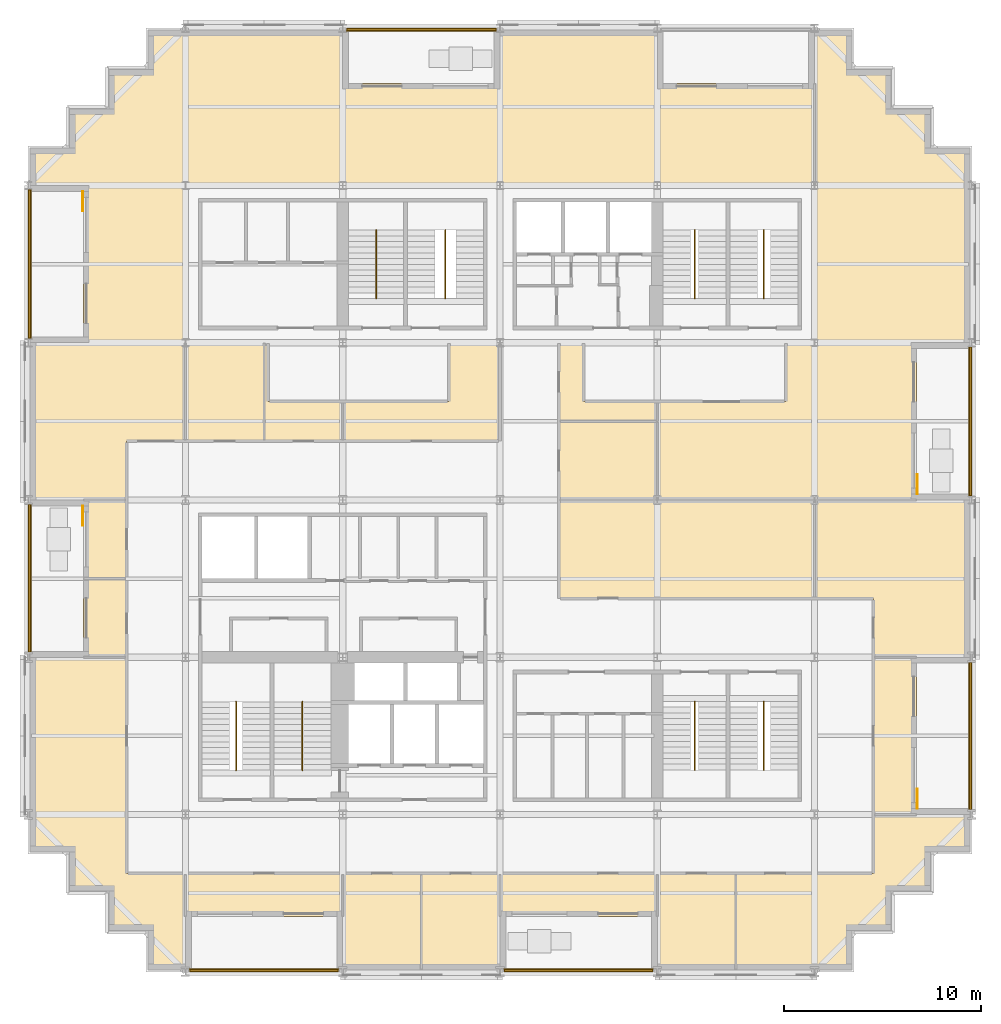
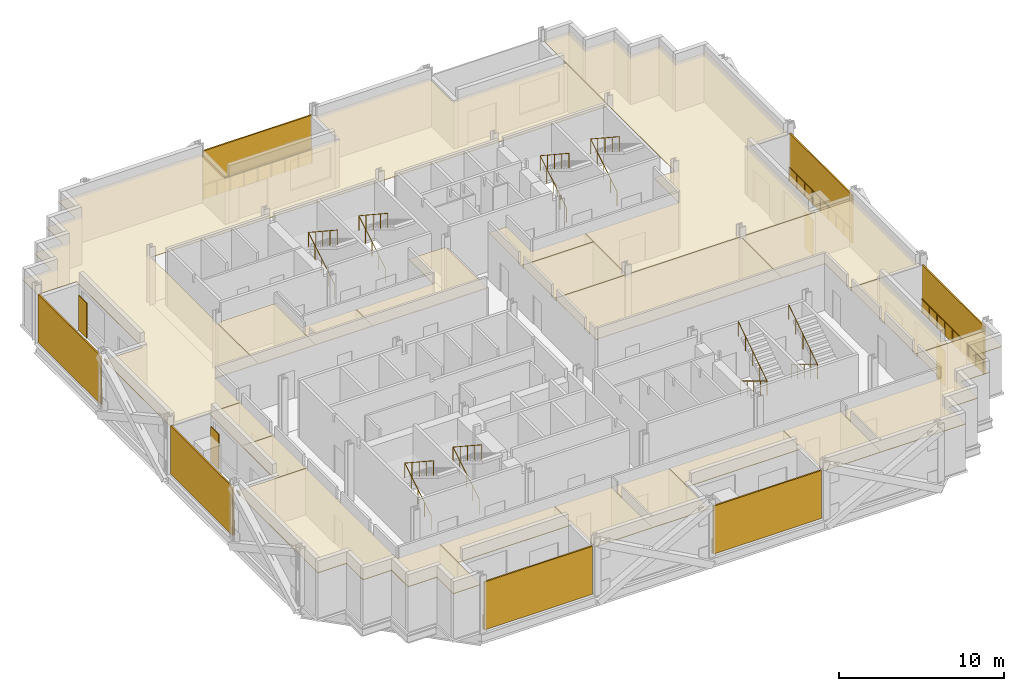
# One storey, part 12 of 14: 19 coverings, 15 railings, 11 shading devices.
"""IFC4 building model written with IfcOpenShell, lengths in metres."""

from ifc_helpers import new_model, si_unit, direction, frame, origin, origin_2d, place, context, subcontext, project, spatial, polyline, rectangle, circle, outline, extrude, material, layer, layer_set, type_object, element, save


model = new_model("IFC4")

# Units and contexts
model_context = context("Model", 3, precision=1e-05, world=origin(), true_north=direction((0.0, 1.0)))
body_context = subcontext(model_context, "Body", "Model", "MODEL_VIEW")
ifc_project = project(units=[si_unit("LENGTHUNIT", "METRE"), si_unit("AREAUNIT", "SQUARE_METRE"), si_unit("VOLUMEUNIT", "CUBIC_METRE"), si_unit("PLANEANGLEUNIT", "RADIAN"), si_unit("MASSUNIT", "GRAM", prefix="KILO")], contexts=[model_context])

# Site, building, storey
site_placement = place(None, origin())
site = spatial("IfcSite", under=ifc_project, at=site_placement, CompositionType="ELEMENT")
building_placement = place(site_placement, origin())
building = spatial("IfcBuilding", under=site, at=building_placement, Name="Immortelle Media Tower", CompositionType="ELEMENT")
storey_placement = place(building_placement, frame((0.0, 0.0, 48.0)))
storey = spatial("IfcBuildingStorey", under=building, at=storey_placement, Name="L07", CompositionType="ELEMENT", Elevation=48.0)

# Railings
ifc_material_1 = material(Name="Powder-coated aluminium fretwork panel, laminated glass backing", Category="aluminium")
railing_type_1 = type_object("IfcRailingType", Name="Fretwork balustrade 1100", PredefinedType="BALUSTRADE", material=ifc_material_1)
railing_1_placement = place(storey_placement, frame((0.139892578125, 39.79150390625, 0.0)))
element("IfcRailing", 1, at=railing_1_placement, inside=storey, type_object=railing_type_1, Name="Fretwork balustrade L07 W0", PredefinedType="BALUSTRADE", context=body_context, shape_type="SweptSolid", body=[
    extrude(circle(Radius=0.02490234375, at=origin_2d()), frame((0.0, 0.0, 1.0751953125), z_axis=(0.0, -1.0, 0.0), x_axis=(1.0, 0.0, 0.0)), (0.0, 0.0, 1.0), 7.574462890625),
    extrude(circle(Radius=0.02001953125, at=origin_2d()), origin(), (0.0, 0.0, 1.0), 1.050048828125),
    extrude(circle(Radius=0.02001953125, at=origin_2d()), frame((0.0, -0.94677734375, 0.0)), (0.0, 0.0, 1.0), 1.050048828125),
    extrude(circle(Radius=0.02001953125, at=origin_2d()), frame((0.0, -1.8935546875, 0.0)), (0.0, 0.0, 1.0), 1.050048828125),
    extrude(circle(Radius=0.02001953125, at=origin_2d()), frame((0.0, -2.84033203125, 0.0)), (0.0, 0.0, 1.0), 1.050048828125),
    extrude(circle(Radius=0.02001953125, at=origin_2d()), frame((0.0, -3.787109375, 0.0)), (0.0, 0.0, 1.0), 1.050048828125),
    extrude(circle(Radius=0.02001953125, at=origin_2d()), frame((0.0, -4.734130859375, 0.0)), (0.0, 0.0, 1.0), 1.050048828125),
    extrude(circle(Radius=0.02001953125, at=origin_2d()), frame((0.0, -5.680908203125, 0.0)), (0.0, 0.0, 1.0), 1.050048828125),
    extrude(circle(Radius=0.02001953125, at=origin_2d()), frame((0.0, -6.627685546875, 0.0)), (0.0, 0.0, 1.0), 1.050048828125),
    extrude(circle(Radius=0.02001953125, at=origin_2d()), frame((0.0, -7.574462890625, 0.0)), (0.0, 0.0, 1.0), 1.050048828125),
])
railing_2_placement = place(storey_placement, frame((0.139892578125, 23.782958984375, 0.0)))
element("IfcRailing", 2, at=railing_2_placement, inside=storey, type_object=railing_type_1, Name="Fretwork balustrade L07 W2", PredefinedType="BALUSTRADE", context=body_context, shape_type="SweptSolid", body=[
    extrude(circle(Radius=0.02490234375, at=origin_2d()), frame((0.0, 0.0, 1.0751953125), z_axis=(0.0, -1.0, 0.0), x_axis=(1.0, 0.0, 0.0)), (0.0, 0.0, 1.0), 7.517578125),
    extrude(circle(Radius=0.02001953125, at=origin_2d()), origin(), (0.0, 0.0, 1.0), 1.050048828125),
    extrude(circle(Radius=0.02001953125, at=origin_2d()), frame((0.0, -0.939697265625, 0.0)), (0.0, 0.0, 1.0), 1.050048828125),
    extrude(circle(Radius=0.02001953125, at=origin_2d()), frame((0.0, -1.87939453125, 0.0)), (0.0, 0.0, 1.0), 1.050048828125),
    extrude(circle(Radius=0.02001953125, at=origin_2d()), frame((0.0, -2.819091796875, 0.0)), (0.0, 0.0, 1.0), 1.050048828125),
    extrude(circle(Radius=0.02001953125, at=origin_2d()), frame((0.0, -3.7587890625, 0.0)), (0.0, 0.0, 1.0), 1.050048828125),
    extrude(circle(Radius=0.02001953125, at=origin_2d()), frame((0.0, -4.698486328125, 0.0)), (0.0, 0.0, 1.0), 1.050048828125),
    extrude(circle(Radius=0.02001953125, at=origin_2d()), frame((0.0, -5.63818359375, 0.0)), (0.0, 0.0, 1.0), 1.050048828125),
    extrude(circle(Radius=0.02001953125, at=origin_2d()), frame((0.0, -6.577880859375, 0.0)), (0.0, 0.0, 1.0), 1.050048828125),
    extrude(circle(Radius=0.02001953125, at=origin_2d()), frame((0.0, -7.517578125, 0.0)), (0.0, 0.0, 1.0), 1.050048828125),
])
railing_3_placement = place(storey_placement, frame((8.216064453125, 0.139892578125, 0.0)))
element("IfcRailing", 3, at=railing_3_placement, inside=storey, type_object=railing_type_1, Name="Fretwork balustrade L07 S0", PredefinedType="BALUSTRADE", context=body_context, shape_type="SweptSolid", body=[
    extrude(circle(Radius=0.02490234375, at=origin_2d()), frame((0.0, 0.0, 1.0751953125), z_axis=(1.0, 0.0, 0.0), x_axis=(0.0, 1.0, 0.0)), (0.0, 0.0, 1.0), 7.56298828125),
    extrude(circle(Radius=0.02001953125, at=origin_2d()), origin(), (0.0, 0.0, 1.0), 1.050048828125),
    extrude(circle(Radius=0.02001953125, at=origin_2d()), frame((0.9453125, 0.0, 0.0)), (0.0, 0.0, 1.0), 1.050048828125),
    extrude(circle(Radius=0.02001953125, at=origin_2d()), frame((1.890625, 0.0, 0.0)), (0.0, 0.0, 1.0), 1.050048828125),
    extrude(circle(Radius=0.02001953125, at=origin_2d()), frame((2.836181640625, 0.0, 0.0)), (0.0, 0.0, 1.0), 1.050048828125),
    extrude(circle(Radius=0.02001953125, at=origin_2d()), frame((3.781494140625, 0.0, 0.0)), (0.0, 0.0, 1.0), 1.050048828125),
    extrude(circle(Radius=0.02001953125, at=origin_2d()), frame((4.726806640625, 0.0, 0.0)), (0.0, 0.0, 1.0), 1.050048828125),
    extrude(circle(Radius=0.02001953125, at=origin_2d()), frame((5.67236328125, 0.0, 0.0)), (0.0, 0.0, 1.0), 1.050048828125),
    extrude(circle(Radius=0.02001953125, at=origin_2d()), frame((6.61767578125, 0.0, 0.0)), (0.0, 0.0, 1.0), 1.050048828125),
    extrude(circle(Radius=0.02001953125, at=origin_2d()), frame((7.56298828125, 0.0, 0.0)), (0.0, 0.0, 1.0), 1.050048828125),
])
railing_4_placement = place(storey_placement, frame((24.220947265625, 0.139892578125, 0.0)))
element("IfcRailing", 4, at=railing_4_placement, inside=storey, type_object=railing_type_1, Name="Fretwork balustrade L07 S2", PredefinedType="BALUSTRADE", context=body_context, shape_type="SweptSolid", body=[
    extrude(circle(Radius=0.02490234375, at=origin_2d()), frame((0.0, 0.0, 1.0751953125), z_axis=(1.0, 0.0, 0.0), x_axis=(0.0, 1.0, 0.0)), (0.0, 0.0, 1.0), 7.55810546875),
    extrude(circle(Radius=0.02001953125, at=origin_2d()), origin(), (0.0, 0.0, 1.0), 1.050048828125),
    extrude(circle(Radius=0.02001953125, at=origin_2d()), frame((0.94482421875, 0.0, 0.0)), (0.0, 0.0, 1.0), 1.050048828125),
    extrude(circle(Radius=0.02001953125, at=origin_2d()), frame((1.8896484375, 0.0, 0.0)), (0.0, 0.0, 1.0), 1.050048828125),
    extrude(circle(Radius=0.02001953125, at=origin_2d()), frame((2.834228515625, 0.0, 0.0)), (0.0, 0.0, 1.0), 1.050048828125),
    extrude(circle(Radius=0.02001953125, at=origin_2d()), frame((3.779052734375, 0.0, 0.0)), (0.0, 0.0, 1.0), 1.050048828125),
    extrude(circle(Radius=0.02001953125, at=origin_2d()), frame((4.723876953125, 0.0, 0.0)), (0.0, 0.0, 1.0), 1.050048828125),
    extrude(circle(Radius=0.02001953125, at=origin_2d()), frame((5.66845703125, 0.0, 0.0)), (0.0, 0.0, 1.0), 1.050048828125),
    extrude(circle(Radius=0.02001953125, at=origin_2d()), frame((6.61328125, 0.0, 0.0)), (0.0, 0.0, 1.0), 1.050048828125),
    extrude(circle(Radius=0.02001953125, at=origin_2d()), frame((7.55810546875, 0.0, 0.0)), (0.0, 0.0, 1.0), 1.050048828125),
])
railing_5_placement = place(storey_placement, frame((47.860107421875, 8.2490234375, 0.0)))
element("IfcRailing", 5, at=railing_5_placement, inside=storey, type_object=railing_type_1, Name="Fretwork balustrade L07 E0", PredefinedType="BALUSTRADE", context=body_context, shape_type="SweptSolid", body=[
    extrude(circle(Radius=0.02490234375, at=origin_2d()), frame((0.0, 0.0, 1.0751953125), z_axis=(0.0, 1.0, 0.0), x_axis=(-1.0, 0.0, 0.0)), (0.0, 0.0, 1.0), 7.485595703125),
    extrude(circle(Radius=0.02001953125, at=origin_2d()), origin(), (0.0, 0.0, 1.0), 1.050048828125),
    extrude(circle(Radius=0.02001953125, at=origin_2d()), frame((0.0, 0.935791015625, 0.0)), (0.0, 0.0, 1.0), 1.050048828125),
    extrude(circle(Radius=0.02001953125, at=origin_2d()), frame((0.0, 1.871337890625, 0.0)), (0.0, 0.0, 1.0), 1.050048828125),
    extrude(circle(Radius=0.02001953125, at=origin_2d()), frame((0.0, 2.80712890625, 0.0)), (0.0, 0.0, 1.0), 1.050048828125),
    extrude(circle(Radius=0.02001953125, at=origin_2d()), frame((0.0, 3.74267578125, 0.0)), (0.0, 0.0, 1.0), 1.050048828125),
    extrude(circle(Radius=0.02001953125, at=origin_2d()), frame((0.0, 4.678466796875, 0.0)), (0.0, 0.0, 1.0), 1.050048828125),
    extrude(circle(Radius=0.02001953125, at=origin_2d()), frame((0.0, 5.6142578125, 0.0)), (0.0, 0.0, 1.0), 1.050048828125),
    extrude(circle(Radius=0.02001953125, at=origin_2d()), frame((0.0, 6.5498046875, 0.0)), (0.0, 0.0, 1.0), 1.050048828125),
    extrude(circle(Radius=0.02001953125, at=origin_2d()), frame((0.0, 7.485595703125, 0.0)), (0.0, 0.0, 1.0), 1.050048828125),
])
railing_6_placement = place(storey_placement, frame((47.860107421875, 24.20849609375, 0.0)))
element("IfcRailing", 6, at=railing_6_placement, inside=storey, type_object=railing_type_1, Name="Fretwork balustrade L07 E2", PredefinedType="BALUSTRADE", context=body_context, shape_type="SweptSolid", body=[
    extrude(circle(Radius=0.02490234375, at=origin_2d()), frame((0.0, 0.0, 1.0751953125), z_axis=(0.0, 1.0, 0.0), x_axis=(-1.0, 0.0, 0.0)), (0.0, 0.0, 1.0), 7.5830078125),
    extrude(circle(Radius=0.02001953125, at=origin_2d()), origin(), (0.0, 0.0, 1.0), 1.050048828125),
    extrude(circle(Radius=0.02001953125, at=origin_2d()), frame((0.0, 0.94775390625, 0.0)), (0.0, 0.0, 1.0), 1.050048828125),
    extrude(circle(Radius=0.02001953125, at=origin_2d()), frame((0.0, 1.895751953125, 0.0)), (0.0, 0.0, 1.0), 1.050048828125),
    extrude(circle(Radius=0.02001953125, at=origin_2d()), frame((0.0, 2.84375, 0.0)), (0.0, 0.0, 1.0), 1.050048828125),
    extrude(circle(Radius=0.02001953125, at=origin_2d()), frame((0.0, 3.79150390625, 0.0)), (0.0, 0.0, 1.0), 1.050048828125),
    extrude(circle(Radius=0.02001953125, at=origin_2d()), frame((0.0, 4.7392578125, 0.0)), (0.0, 0.0, 1.0), 1.050048828125),
    extrude(circle(Radius=0.02001953125, at=origin_2d()), frame((0.0, 5.687255859375, 0.0)), (0.0, 0.0, 1.0), 1.050048828125),
    extrude(circle(Radius=0.02001953125, at=origin_2d()), frame((0.0, 6.63525390625, 0.0)), (0.0, 0.0, 1.0), 1.050048828125),
    extrude(circle(Radius=0.02001953125, at=origin_2d()), frame((0.0, 7.5830078125, 0.0)), (0.0, 0.0, 1.0), 1.050048828125),
])
railing_7_placement = place(storey_placement, frame((23.797119140625, 47.860107421875, 0.0)))
element("IfcRailing", 7, at=railing_7_placement, inside=storey, type_object=railing_type_1, Name="Fretwork balustrade L07 N2", PredefinedType="BALUSTRADE", context=body_context, shape_type="SweptSolid", body=[
    extrude(circle(Radius=0.02490234375, at=origin_2d()), frame((0.0, 0.0, 1.0751953125), z_axis=(-1.0, 0.0, 0.0), x_axis=(0.0, -1.0, 0.0)), (0.0, 0.0, 1.0), 7.591552734375),
    extrude(circle(Radius=0.02001953125, at=origin_2d()), origin(), (0.0, 0.0, 1.0), 1.050048828125),
    extrude(circle(Radius=0.02001953125, at=origin_2d()), frame((-0.948974609375, 0.0, 0.0)), (0.0, 0.0, 1.0), 1.050048828125),
    extrude(circle(Radius=0.02001953125, at=origin_2d()), frame((-1.89794921875, 0.0, 0.0)), (0.0, 0.0, 1.0), 1.050048828125),
    extrude(circle(Radius=0.02001953125, at=origin_2d()), frame((-2.846923828125, 0.0, 0.0)), (0.0, 0.0, 1.0), 1.050048828125),
    extrude(circle(Radius=0.02001953125, at=origin_2d()), frame((-3.7958984375, 0.0, 0.0)), (0.0, 0.0, 1.0), 1.050048828125),
    extrude(circle(Radius=0.02001953125, at=origin_2d()), frame((-4.74462890625, 0.0, 0.0)), (0.0, 0.0, 1.0), 1.050048828125),
    extrude(circle(Radius=0.02001953125, at=origin_2d()), frame((-5.693603515625, 0.0, 0.0)), (0.0, 0.0, 1.0), 1.050048828125),
    extrude(circle(Radius=0.02001953125, at=origin_2d()), frame((-6.642578125, 0.0, 0.0)), (0.0, 0.0, 1.0), 1.050048828125),
    extrude(circle(Radius=0.02001953125, at=origin_2d()), frame((-7.591552734375, 0.0, 0.0)), (0.0, 0.0, 1.0), 1.050048828125),
])

# Shading devices
ifc_material_2 = material(Name="Pale aluminium louvre blades", Category="aluminium")
ifc_layer_1 = layer(ifc_material_2, 0.10009765625)
ifc_layer_set_1 = layer_set([ifc_layer_1], Name="Pale aluminium louvre blades")
shading_device_type_1 = type_object("IfcShadingDeviceType", Name="Jalousie screen 100", PredefinedType="JALOUSIE", material=ifc_layer_set_1)
shading_device_1_placement = place(storey_placement, frame((0.050048828125, 36.004150390625, 0.0), z_axis=(0.0, 0.0, 1.0), x_axis=(0.0, -1.0, 0.0)))
element("IfcShadingDevice", 8, at=shading_device_1_placement, inside=storey, type_object=shading_device_type_1, Name="Jalousie screen L07 W0", PredefinedType="JALOUSIE", context=body_context, shape_type="SweptSolid", body=[
    extrude(rectangle(XDim=7.574462890625, YDim=0.10009765625, at=origin_2d()), origin(), (0.0, 0.0, 1.0), 3.553955078125),
])
shading_device_2_placement = place(storey_placement, frame((0.050048828125, 20.024169921875, 0.0), z_axis=(0.0, 0.0, 1.0), x_axis=(0.0, -1.0, 0.0)))
element("IfcShadingDevice", 9, at=shading_device_2_placement, inside=storey, type_object=shading_device_type_1, Name="Jalousie screen L07 W2", PredefinedType="JALOUSIE", context=body_context, shape_type="SweptSolid", body=[
    extrude(rectangle(XDim=7.517578125, YDim=0.10009765625, at=origin_2d()), origin(), (0.0, 0.0, 1.0), 3.553955078125),
])
shading_device_3_placement = place(storey_placement, frame((11.99755859375, 0.050048828125, 0.0), z_axis=(0.0, 0.0, 1.0), x_axis=(1.0, 0.0, 0.0)))
element("IfcShadingDevice", 10, at=shading_device_3_placement, inside=storey, type_object=shading_device_type_1, Name="Jalousie screen L07 S0", PredefinedType="JALOUSIE", context=body_context, shape_type="SweptSolid", body=[
    extrude(rectangle(XDim=7.56298828125, YDim=0.10009765625, at=origin_2d()), origin(), (0.0, 0.0, 1.0), 3.553955078125),
])
shading_device_4_placement = place(storey_placement, frame((28.0, 0.050048828125, 0.0), z_axis=(0.0, 0.0, 1.0), x_axis=(1.0, 0.0, 0.0)))
element("IfcShadingDevice", 11, at=shading_device_4_placement, inside=storey, type_object=shading_device_type_1, Name="Jalousie screen L07 S2", PredefinedType="JALOUSIE", context=body_context, shape_type="SweptSolid", body=[
    extrude(rectangle(XDim=7.55810546875, YDim=0.10009765625, at=origin_2d()), origin(), (0.0, 0.0, 1.0), 3.553955078125),
])
shading_device_5_placement = place(storey_placement, frame((47.949951171875, 11.99169921875, 0.0), z_axis=(0.0, 0.0, 1.0), x_axis=(0.0, 1.0, 0.0)))
element("IfcShadingDevice", 12, at=shading_device_5_placement, inside=storey, type_object=shading_device_type_1, Name="Jalousie screen L07 E0", PredefinedType="JALOUSIE", context=body_context, shape_type="SweptSolid", body=[
    extrude(rectangle(XDim=7.485595703125, YDim=0.10009765625, at=origin_2d()), origin(), (0.0, 0.0, 1.0), 3.553955078125),
])
shading_device_6_placement = place(storey_placement, frame((47.949951171875, 28.0, 0.0), z_axis=(0.0, 0.0, 1.0), x_axis=(0.0, 1.0, 0.0)))
element("IfcShadingDevice", 13, at=shading_device_6_placement, inside=storey, type_object=shading_device_type_1, Name="Jalousie screen L07 E2", PredefinedType="JALOUSIE", context=body_context, shape_type="SweptSolid", body=[
    extrude(rectangle(XDim=7.5830078125, YDim=0.10009765625, at=origin_2d()), origin(), (0.0, 0.0, 1.0), 3.553955078125),
])
shading_device_7_placement = place(storey_placement, frame((20.001220703125, 47.949951171875, 0.0), z_axis=(0.0, 0.0, 1.0), x_axis=(-1.0, 0.0, 0.0)))
element("IfcShadingDevice", 14, at=shading_device_7_placement, inside=storey, type_object=shading_device_type_1, Name="Jalousie screen L07 N2", PredefinedType="JALOUSIE", context=body_context, shape_type="SweptSolid", body=[
    extrude(rectangle(XDim=7.591552734375, YDim=0.10009765625, at=origin_2d()), origin(), (0.0, 0.0, 1.0), 3.553955078125),
])
ifc_material_3 = material(Name="Pale aluminium louvre blades in a folding frame", Category="aluminium")
ifc_layer_2 = layer(ifc_material_3, 0.050048828125)
ifc_layer_set_2 = layer_set([ifc_layer_2], Name="Pale aluminium louvre blades in a folding frame")
shading_device_type_2 = type_object("IfcShadingDeviceType", Name="Louvred loggia shutter", PredefinedType="SHUTTER", material=ifc_layer_set_2)
for number, where, z_axis, x_axis, name in (
    (15, (2.77490234375, 39.199951171875, 0.0), (0.0, 0.0, 1.0), (0.0, -1.0, 0.0), "Loggia shutter L07 W0"),
    (16, (2.77490234375, 23.199951171875, 0.0), (0.0, 0.0, 1.0), (0.0, -1.0, 0.0), "Loggia shutter L07 W2"),
    (17, (45.22509765625, 8.800048828125, 0.0), (0.0, 0.0, 1.0), (0.0, 1.0, 0.0), "Loggia shutter L07 E0"),
    (18, (45.22509765625, 24.800048828125, 0.0), (0.0, 0.0, 1.0), (0.0, 1.0, 0.0), "Loggia shutter L07 E2"),
):
    element("IfcShadingDevice", number, at=place(storey_placement, frame(where, z_axis=z_axis, x_axis=x_axis)), inside=storey, type_object=shading_device_type_2, Name=name, PredefinedType="SHUTTER", context=body_context, shape_type="SweptSolid", body=[
        extrude(rectangle(XDim=1.0, YDim=0.050048828125, at=origin_2d()), origin(), (0.0, 0.0, 1.0), 2.60009765625),
    ])

# Railings
ifc_material_4 = material(Name="Stainless steel AISI 316", Category="steel")
railing_type_2 = type_object("IfcRailingType", Name="Stair guard 1100", PredefinedType="GUARDRAIL", material=ifc_material_4)
for number, where, name in (
    (19, (10.574951171875, 10.5400390625, 0.176025390625), "Stair guard SW1"),
    (20, (13.949951171875, 10.5400390625, 0.176025390625), "Stair guard SW2"),
):
    element("IfcRailing", number, at=place(storey_placement, frame(where)), inside=storey, type_object=railing_type_2, Name=name, PredefinedType="GUARDRAIL", context=body_context, shape_type="SweptSolid", body=[
        extrude(circle(Radius=0.02392578125, at=origin_2d()), frame((0.0, 0.0, 1.076171875), z_axis=(0.0, 0.854872504309, 0.518838126371), x_axis=(-1.0, 0.0, 0.0)), (0.0, 0.0, 1.0), 3.7314453125),
        extrude(circle(Radius=0.02392578125, at=origin_2d()), frame((0.0, 3.18994140625, 3.01220703125), z_axis=(0.0, -0.835595538677, 0.549345151743), x_axis=(1.0, 0.0, 0.0)), (0.0, 0.0, 1.0), 4.16455078125),
        extrude(circle(Radius=0.02099609375, at=origin_2d()), origin(), (0.0, 0.0, 1.0), 1.052001953125),
        extrude(circle(Radius=0.02099609375, at=origin_2d()), frame((0.0, 0.79736328125, 0.48388671875)), (0.0, 0.0, 1.0), 1.052001953125),
        extrude(circle(Radius=0.02099609375, at=origin_2d()), frame((0.0, 1.594970703125, 0.968017578125)), (0.0, 0.0, 1.0), 1.052001953125),
        extrude(circle(Radius=0.02099609375, at=origin_2d()), frame((0.0, 2.392578125, 1.4521484375)), (0.0, 0.0, 1.0), 1.052001953125),
        extrude(circle(Radius=0.02099609375, at=origin_2d()), frame((0.0, 3.18994140625, 1.93603515625)), (0.0, 0.0, 1.0), 1.052001953125),
        extrude(circle(Radius=0.02099609375, at=origin_2d()), frame((0.0, 2.31982421875, 2.508056640625)), (0.0, 0.0, 1.0), 1.052001953125),
        extrude(circle(Radius=0.02099609375, at=origin_2d()), frame((0.0, 1.449951171875, 3.080078125)), (0.0, 0.0, 1.0), 1.052001953125),
        extrude(circle(Radius=0.02099609375, at=origin_2d()), frame((0.0, 0.580078125, 3.65185546875)), (0.0, 0.0, 1.0), 1.052001953125),
        extrude(circle(Radius=0.02099609375, at=origin_2d()), frame((0.0, -0.2900390625, 4.223876953125)), (0.0, 0.0, 1.0), 1.052001953125),
    ])
for number, where, name in (
    (21, (33.89990234375, 13.4599609375, 0.176025390625), "Stair guard SE1"),
    (22, (37.425048828125, 13.4599609375, 0.176025390625), "Stair guard SE2"),
):
    element("IfcRailing", number, at=place(storey_placement, frame(where)), inside=storey, type_object=railing_type_2, Name=name, PredefinedType="GUARDRAIL", context=body_context, shape_type="SweptSolid", body=[
        extrude(circle(Radius=0.02392578125, at=origin_2d()), frame((0.0, 0.0, 1.076171875), z_axis=(0.0, -0.854872504309, 0.518838126371), x_axis=(1.0, 0.0, 0.0)), (0.0, 0.0, 1.0), 3.7314453125),
        extrude(circle(Radius=0.02392578125, at=origin_2d()), frame((0.0, -3.18994140625, 3.01220703125), z_axis=(0.0, 0.835595538677, 0.549345151743), x_axis=(-1.0, 0.0, 0.0)), (0.0, 0.0, 1.0), 4.16455078125),
        extrude(circle(Radius=0.02099609375, at=origin_2d()), origin(), (0.0, 0.0, 1.0), 1.052001953125),
        extrude(circle(Radius=0.02099609375, at=origin_2d()), frame((0.0, -0.79736328125, 0.48388671875)), (0.0, 0.0, 1.0), 1.052001953125),
        extrude(circle(Radius=0.02099609375, at=origin_2d()), frame((0.0, -1.594970703125, 0.968017578125)), (0.0, 0.0, 1.0), 1.052001953125),
        extrude(circle(Radius=0.02099609375, at=origin_2d()), frame((0.0, -2.392578125, 1.4521484375)), (0.0, 0.0, 1.0), 1.052001953125),
        extrude(circle(Radius=0.02099609375, at=origin_2d()), frame((0.0, -3.18994140625, 1.93603515625)), (0.0, 0.0, 1.0), 1.052001953125),
        extrude(circle(Radius=0.02099609375, at=origin_2d()), frame((0.0, -2.31982421875, 2.508056640625)), (0.0, 0.0, 1.0), 1.052001953125),
        extrude(circle(Radius=0.02099609375, at=origin_2d()), frame((0.0, -1.449951171875, 3.080078125)), (0.0, 0.0, 1.0), 1.052001953125),
        extrude(circle(Radius=0.02099609375, at=origin_2d()), frame((0.0, -0.580078125, 3.65185546875)), (0.0, 0.0, 1.0), 1.052001953125),
        extrude(circle(Radius=0.02099609375, at=origin_2d()), frame((0.0, 0.2900390625, 4.223876953125)), (0.0, 0.0, 1.0), 1.052001953125),
    ])
for number, where, name in (
    (23, (17.699951171875, 34.5400390625, 0.176025390625), "Stair guard NW1"),
    (24, (21.22509765625, 34.5400390625, 0.176025390625), "Stair guard NW2"),
    (25, (33.89990234375, 34.5400390625, 0.176025390625), "Stair guard NE1"),
    (26, (37.425048828125, 34.5400390625, 0.176025390625), "Stair guard NE2"),
):
    element("IfcRailing", number, at=place(storey_placement, frame(where)), inside=storey, type_object=railing_type_2, Name=name, PredefinedType="GUARDRAIL", context=body_context, shape_type="SweptSolid", body=[
        extrude(circle(Radius=0.02392578125, at=origin_2d()), frame((0.0, 0.0, 1.076171875), z_axis=(0.0, 0.854872504309, 0.518838126371), x_axis=(-1.0, 0.0, 0.0)), (0.0, 0.0, 1.0), 3.7314453125),
        extrude(circle(Radius=0.02392578125, at=origin_2d()), frame((0.0, 3.18994140625, 3.01220703125), z_axis=(0.0, -0.835595538677, 0.549345151743), x_axis=(1.0, 0.0, 0.0)), (0.0, 0.0, 1.0), 4.16455078125),
        extrude(circle(Radius=0.02099609375, at=origin_2d()), origin(), (0.0, 0.0, 1.0), 1.052001953125),
        extrude(circle(Radius=0.02099609375, at=origin_2d()), frame((0.0, 0.79736328125, 0.48388671875)), (0.0, 0.0, 1.0), 1.052001953125),
        extrude(circle(Radius=0.02099609375, at=origin_2d()), frame((0.0, 1.594970703125, 0.968017578125)), (0.0, 0.0, 1.0), 1.052001953125),
        extrude(circle(Radius=0.02099609375, at=origin_2d()), frame((0.0, 2.392578125, 1.4521484375)), (0.0, 0.0, 1.0), 1.052001953125),
        extrude(circle(Radius=0.02099609375, at=origin_2d()), frame((0.0, 3.18994140625, 1.93603515625)), (0.0, 0.0, 1.0), 1.052001953125),
        extrude(circle(Radius=0.02099609375, at=origin_2d()), frame((0.0, 2.31982421875, 2.508056640625)), (0.0, 0.0, 1.0), 1.052001953125),
        extrude(circle(Radius=0.02099609375, at=origin_2d()), frame((0.0, 1.449951171875, 3.080078125)), (0.0, 0.0, 1.0), 1.052001953125),
        extrude(circle(Radius=0.02099609375, at=origin_2d()), frame((0.0, 0.580078125, 3.65185546875)), (0.0, 0.0, 1.0), 1.052001953125),
        extrude(circle(Radius=0.02099609375, at=origin_2d()), frame((0.0, -0.2900390625, 4.223876953125)), (0.0, 0.0, 1.0), 1.052001953125),
    ])

# Coverings
ifc_material_5 = material(Name="Mineral fibre tile ceiling")
ifc_layer_3 = layer(ifc_material_5, 0.050048828125)
ifc_layer_set_3 = layer_set([ifc_layer_3], Name="Mineral fibre tile ceiling")
covering_type = type_object("IfcCoveringType", Name="Suspended ceiling 50", PredefinedType="CEILING", material=ifc_layer_set_3)
covering_1_placement = place(storey_placement, frame((0.0, 0.0, 3.341064453125)))
element("IfcCovering", 27, at=covering_1_placement, inside=storey, type_object=covering_type, Name="Ceiling L07-001", PredefinedType="CEILING", context=body_context, shape_type="SweptSolid", body=[
    extrude(outline(polyline([(16.0, 2.800048828125), (16.0, 5.0), (20.0, 5.0), (20.0, 0.10009765625), (16.0, 0.10009765625), (16.0, 2.800048828125)])), origin(), (0.0, 0.0, 1.0), 0.050048828125),
])
covering_2_placement = place(storey_placement, frame((0.0, 0.0, 3.341064453125)))
element("IfcCovering", 28, at=covering_2_placement, inside=storey, type_object=covering_type, Name="Ceiling L07-002", PredefinedType="CEILING", context=body_context, shape_type="SweptSolid", body=[
    extrude(outline(polyline([(24.0, 5.0), (24.0, 2.800048828125), (24.0, 0.10009765625), (20.0, 0.10009765625), (20.0, 5.0), (24.0, 5.0)])), origin(), (0.0, 0.0, 1.0), 0.050048828125),
])
covering_3_placement = place(storey_placement, frame((0.0, 0.0, 3.341064453125)))
element("IfcCovering", 29, at=covering_3_placement, inside=storey, type_object=covering_type, Name="Ceiling L07-003", PredefinedType="CEILING", context=body_context, shape_type="SweptSolid", body=[
    extrude(outline(polyline([(32.0, 5.0), (36.0, 5.0), (36.0, 0.10009765625), (32.0, 0.10009765625), (32.0, 2.800048828125), (32.0, 5.0)])), origin(), (0.0, 0.0, 1.0), 0.050048828125),
])
covering_4_placement = place(storey_placement, frame((0.0, 0.0, 3.341064453125)))
element("IfcCovering", 30, at=covering_4_placement, inside=storey, type_object=covering_type, Name="Ceiling L07-004", PredefinedType="CEILING", context=body_context, shape_type="SweptSolid", body=[
    extrude(outline(polyline([(40.0, 5.0), (43.0, 5.0), (43.0, 8.0), (45.199951171875, 8.0), (47.89990234375, 8.0), (47.89990234375, 6.10009765625), (45.89990234375, 6.10009765625), (45.89990234375, 4.10009765625), (43.89990234375, 4.10009765625), (43.89990234375, 2.10009765625), (41.89990234375, 2.10009765625), (41.89990234375, 0.10009765625), (40.0, 0.10009765625), (36.0, 0.10009765625), (36.0, 5.0), (40.0, 5.0)])), origin(), (0.0, 0.0, 1.0), 0.050048828125),
])
covering_5_placement = place(storey_placement, frame((0.0, 0.0, 3.341064453125)))
element("IfcCovering", 31, at=covering_5_placement, inside=storey, type_object=covering_type, Name="Ceiling L07-005", PredefinedType="CEILING", context=body_context, shape_type="SweptSolid", body=[
    extrude(outline(polyline([(8.0, 2.800048828125), (8.0, 5.0), (16.0, 5.0), (16.0, 2.800048828125), (8.0, 2.800048828125)])), origin(), (0.0, 0.0, 1.0), 0.050048828125),
])
covering_6_placement = place(storey_placement, frame((0.0, 0.0, 3.341064453125)))
element("IfcCovering", 32, at=covering_6_placement, inside=storey, type_object=covering_type, Name="Ceiling L07-006", PredefinedType="CEILING", context=body_context, shape_type="SweptSolid", body=[
    extrude(outline(polyline([(24.0, 2.800048828125), (24.0, 5.0), (27.0, 5.0), (32.0, 5.0), (32.0, 2.800048828125), (24.0, 2.800048828125)])), origin(), (0.0, 0.0, 1.0), 0.050048828125),
])
covering_7_placement = place(storey_placement, frame((0.0, 0.0, 3.341064453125)))
element("IfcCovering", 33, at=covering_7_placement, inside=storey, type_object=covering_type, Name="Ceiling L07-007", PredefinedType="CEILING", context=body_context, shape_type="SweptSolid", body=[
    extrude(outline(polyline([(4.10009765625, 4.0), (4.10009765625, 4.10009765625), (2.10009765625, 4.10009765625), (2.10009765625, 6.10009765625), (0.10009765625, 6.10009765625), (0.10009765625, 8.0), (0.10009765625, 16.0), (2.800048828125, 16.0), (5.0, 16.0), (5.0, 8.0), (5.0, 5.0), (8.0, 5.0), (8.0, 4.0), (8.0, 2.800048828125), (8.0, 0.10009765625), (6.10009765625, 0.10009765625), (6.10009765625, 2.10009765625), (4.10009765625, 2.10009765625), (4.10009765625, 4.0)])), origin(), (0.0, 0.0, 1.0), 0.050048828125),
])
covering_8_placement = place(storey_placement, frame((0.0, 0.0, 3.341064453125)))
element("IfcCovering", 34, at=covering_8_placement, inside=storey, type_object=covering_type, Name="Ceiling L07-008", PredefinedType="CEILING", context=body_context, shape_type="SweptSolid", body=[
    extrude(outline(polyline([(45.199951171875, 8.0), (43.0, 8.0), (43.0, 16.0), (45.199951171875, 16.0), (45.199951171875, 8.0)])), origin(), (0.0, 0.0, 1.0), 0.050048828125),
])
covering_9_placement = place(storey_placement, frame((0.0, 0.0, 3.341064453125)))
element("IfcCovering", 35, at=covering_9_placement, inside=storey, type_object=covering_type, Name="Ceiling L07-009", PredefinedType="CEILING", context=body_context, shape_type="SweptSolid", body=[
    extrude(outline(polyline([(5.0, 16.0), (2.800048828125, 16.0), (2.800048828125, 20.0), (5.0, 20.0), (5.0, 19.449951171875), (5.0, 16.0)])), origin(), (0.0, 0.0, 1.0), 0.050048828125),
])
covering_10_placement = place(storey_placement, frame((0.0, 0.0, 3.341064453125)))
element("IfcCovering", 36, at=covering_10_placement, inside=storey, type_object=covering_type, Name="Ceiling L07-010", PredefinedType="CEILING", context=body_context, shape_type="SweptSolid", body=[
    extrude(outline(polyline([(2.800048828125, 24.0), (5.0, 24.0), (5.0, 20.0), (2.800048828125, 20.0), (2.800048828125, 24.0)])), origin(), (0.0, 0.0, 1.0), 0.050048828125),
])
covering_11_placement = place(storey_placement, frame((0.0, 0.0, 3.341064453125)))
element("IfcCovering", 37, at=covering_11_placement, inside=storey, type_object=covering_type, Name="Ceiling L07-011", PredefinedType="CEILING", context=body_context, shape_type="SweptSolid", body=[
    extrude(outline(polyline([(45.199951171875, 16.0), (43.0, 16.0), (43.0, 19.0), (40.0, 19.0), (40.0, 24.0), (45.199951171875, 24.0), (47.89990234375, 24.0), (47.89990234375, 16.0), (45.199951171875, 16.0)])), origin(), (0.0, 0.0, 1.0), 0.050048828125),
])
covering_12_placement = place(storey_placement, frame((0.0, 0.0, 3.341064453125)))
element("IfcCovering", 38, at=covering_12_placement, inside=storey, type_object=covering_type, Name="Ceiling L07-012", PredefinedType="CEILING", context=body_context, shape_type="SweptSolid", body=[
    extrude(outline(polyline([(27.0, 19.0), (27.0, 20.300048828125), (27.0, 24.0), (32.0, 24.0), (40.0, 24.0), (40.0, 19.0), (38.550048828125, 19.0), (36.0, 19.0), (32.0, 19.0), (27.0, 19.0)])), origin(), (0.0, 0.0, 1.0), 0.050048828125),
])
covering_13_placement = place(storey_placement, frame((0.0, 0.0, 3.341064453125)))
element("IfcCovering", 39, at=covering_13_placement, inside=storey, type_object=covering_type, Name="Ceiling L07-013", PredefinedType="CEILING", context=body_context, shape_type="SweptSolid", body=[
    extrude(outline(polyline([(27.0, 28.0), (32.0, 28.0), (32.0, 24.0), (27.0, 24.0), (27.0, 28.0)])), origin(), (0.0, 0.0, 1.0), 0.050048828125),
])
covering_14_placement = place(storey_placement, frame((0.0, 0.0, 3.341064453125)))
element("IfcCovering", 40, at=covering_14_placement, inside=storey, type_object=covering_type, Name="Ceiling L07-014", PredefinedType="CEILING", context=body_context, shape_type="SweptSolid", body=[
    extrude(outline(polyline([(27.0, 32.0), (28.25, 32.0), (28.25, 29.0), (32.0, 29.0), (32.0, 28.0), (27.0, 28.0), (27.0, 32.0)])), origin(), (0.0, 0.0, 1.0), 0.050048828125),
])
covering_15_placement = place(storey_placement, frame((0.0, 0.0, 3.341064453125)))
element("IfcCovering", 41, at=covering_15_placement, inside=storey, type_object=covering_type, Name="Ceiling L07-015", PredefinedType="CEILING", context=body_context, shape_type="SweptSolid", body=[
    extrude(outline(polyline([(16.0, 27.0), (16.0, 29.0), (21.39990234375, 29.0), (21.39990234375, 32.0), (24.0, 32.0), (24.0, 27.0), (16.0, 27.0)])), origin(), (0.0, 0.0, 1.0), 0.050048828125),
])
covering_16_placement = place(storey_placement, frame((0.0, 0.0, 3.341064453125)))
element("IfcCovering", 42, at=covering_16_placement, inside=storey, type_object=covering_type, Name="Ceiling L07-016", PredefinedType="CEILING", context=body_context, shape_type="SweptSolid", body=[
    extrude(outline(polyline([(8.0, 32.0), (12.0, 32.0), (12.0, 27.0), (8.0, 27.0), (8.0, 32.0)])), origin(), (0.0, 0.0, 1.0), 0.050048828125),
])
covering_17_placement = place(storey_placement, frame((0.0, 0.0, 3.341064453125)))
element("IfcCovering", 43, at=covering_17_placement, inside=storey, type_object=covering_type, Name="Ceiling L07-017", PredefinedType="CEILING", context=body_context, shape_type="SweptSolid", body=[
    extrude(outline(polyline([(12.199951171875, 32.0), (12.199951171875, 29.0), (16.0, 29.0), (16.0, 27.0), (12.0, 27.0), (12.0, 32.0), (12.199951171875, 32.0)])), origin(), (0.0, 0.0, 1.0), 0.050048828125),
])
covering_18_placement = place(storey_placement, frame((0.0, 0.0, 3.341064453125)))
element("IfcCovering", 44, at=covering_18_placement, inside=storey, type_object=covering_type, Name="Ceiling L07-018", PredefinedType="CEILING", context=body_context, shape_type="SweptSolid", body=[
    extrude(outline(polyline([(38.550048828125, 32.0), (40.0, 32.0), (40.0, 40.0), (40.0, 45.199951171875), (40.0, 47.89990234375), (41.89990234375, 47.89990234375), (41.89990234375, 45.89990234375), (43.89990234375, 45.89990234375), (43.89990234375, 43.89990234375), (45.89990234375, 43.89990234375), (45.89990234375, 41.89990234375), (47.89990234375, 41.89990234375), (47.89990234375, 40.0), (47.89990234375, 32.0), (45.199951171875, 32.0), (45.199951171875, 24.0), (40.0, 24.0), (32.0, 24.0), (32.0, 29.0), (38.550048828125, 29.0), (38.550048828125, 32.0)])), origin(), (0.0, 0.0, 1.0), 0.050048828125),
])
covering_19_placement = place(storey_placement, frame((0.0, 0.0, 3.341064453125)))
element("IfcCovering", 45, at=covering_19_placement, inside=storey, type_object=covering_type, Name="Ceiling L07-019", PredefinedType="CEILING", context=body_context, shape_type="SweptSolid", body=[
    extrude(outline(polyline([(2.800048828125, 40.0), (0.10009765625, 40.0), (0.10009765625, 41.89990234375), (2.10009765625, 41.89990234375), (2.10009765625, 43.89990234375), (4.10009765625, 43.89990234375), (4.10009765625, 45.89990234375), (6.10009765625, 45.89990234375), (6.10009765625, 47.89990234375), (8.0, 47.89990234375), (16.0, 47.89990234375), (16.0, 45.199951171875), (24.0, 45.199951171875), (24.0, 47.89990234375), (32.0, 47.89990234375), (32.0, 45.199951171875), (40.0, 45.199951171875), (40.0, 40.0), (32.0, 40.0), (24.0, 40.0), (16.0, 40.0), (8.0, 40.0), (8.0, 32.0), (8.0, 27.0), (5.0, 27.0), (5.0, 24.0), (2.800048828125, 24.0), (0.10009765625, 24.0), (0.10009765625, 32.0), (2.800048828125, 32.0), (2.800048828125, 40.0)])), origin(), (0.0, 0.0, 1.0), 0.050048828125),
])

save(model, "model.ifc")
